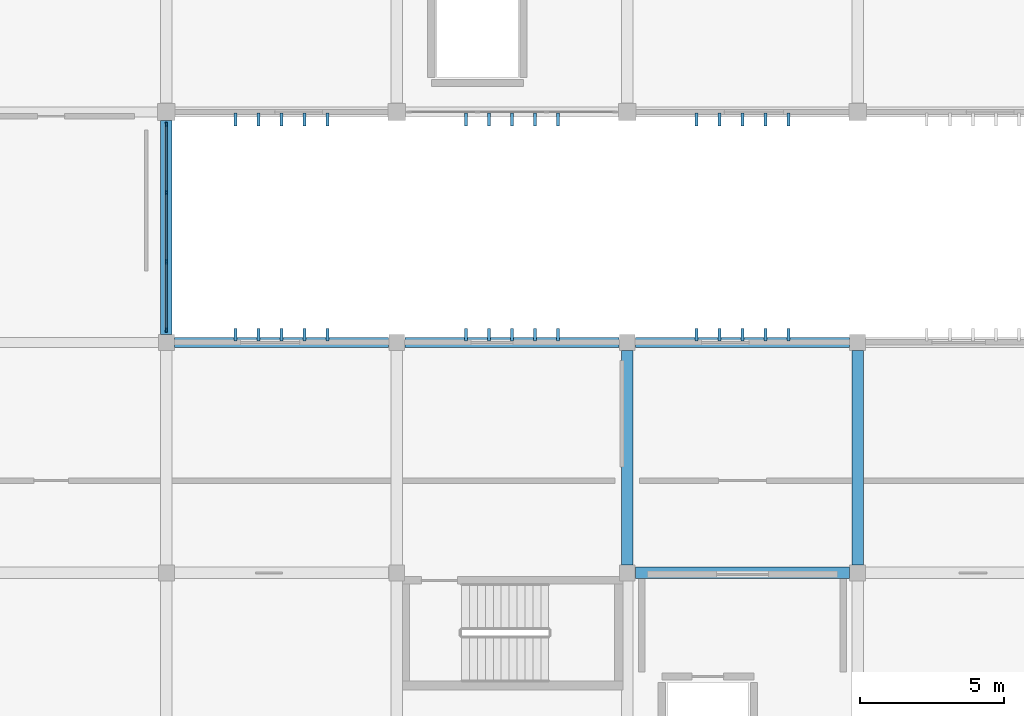
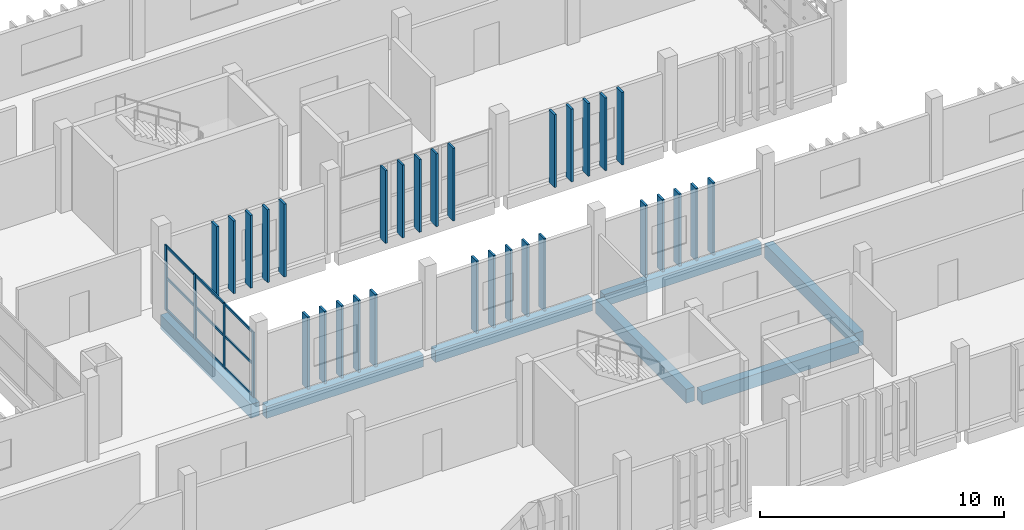
# One storey, part 25 of 83: 43 members, 7 beams, 1 element without a shape of its own.
"""IFC4 building model written with IfcOpenShell, lengths in metres."""

from ifc_helpers import new_model, si_unit, direction, frame, origin, origin_2d, place, context, subcontext, project, spatial, rectangle, extrude, material, layer, layer_set, material_profile, profile_set, type_object, element, aggregate, save


model = new_model("IFC4")

# Units and contexts
model_context = context("Model", 3, precision=1e-05, world=origin(), true_north=direction((0.0, 1.0)))
body_context = subcontext(model_context, "Body", "Model", "MODEL_VIEW")
ifc_project = project(units=[si_unit("LENGTHUNIT", "METRE"), si_unit("AREAUNIT", "SQUARE_METRE"), si_unit("VOLUMEUNIT", "CUBIC_METRE"), si_unit("PLANEANGLEUNIT", "RADIAN"), si_unit("MASSUNIT", "GRAM", prefix="KILO")], contexts=[model_context])

# Site, building, storey
site_placement = place(None, origin())
site = spatial("IfcSite", under=ifc_project, at=site_placement, CompositionType="ELEMENT")
building_placement = place(site_placement, origin())
building = spatial("IfcBuilding", under=site, at=building_placement, Name="Jelvoka-Kovrelna Polytechnic", CompositionType="ELEMENT")
storey_placement = place(building_placement, frame((0.0, 0.0, 13.800048828125)))
storey = spatial("IfcBuildingStorey", under=building, at=storey_placement, Name="L04", CompositionType="ELEMENT", Elevation=13.800048828125)

# Beams
ifc_material_1 = material(Name="Concrete C40/50", Category="concrete")
ifc_material_profile_1 = material_profile(ifc_material_1, rectangle(XDim=0.39990234375, YDim=0.64990234375, at=origin_2d()), Name="RC 400x650")
ifc_profile_set_1 = profile_set([ifc_material_profile_1], Name="Concrete C40/50")
beam_type_1 = type_object("IfcBeamType", Name="Beam_RC_400x650", PredefinedType="BEAM", material=ifc_profile_set_1)
beam_1_placement = place(storey_placement, frame((96.280029296875, 16.0, -0.574951171875), z_axis=(1.0, 0.0, 0.0), x_axis=(0.0, 1.0, 0.0)))
element("IfcBeam", 1, at=beam_1_placement, inside=storey, type_object=beam_type_1, Name="L04 beam 1123", PredefinedType="BEAM", context=body_context, shape_type="SweptSolid", body=[
    extrude(rectangle(XDim=0.39990234375, YDim=0.64990234375, at=origin_2d()), origin(), (0.0, 0.0, 1.0), 7.43994140625),
])
ifc_material_2 = material(Name="Concrete C40/50", Category="concrete")
ifc_material_profile_2 = material_profile(ifc_material_2, rectangle(XDim=0.39990234375, YDim=0.699951171875, at=origin_2d()), Name="RC 400x700")
ifc_profile_set_2 = profile_set([ifc_material_profile_2], Name="Concrete C40/50")
beam_type_2 = type_object("IfcBeamType", Name="Beam_RC_400x700", PredefinedType="BEAM", material=ifc_profile_set_2)
for number, where, z_axis, x_axis, name in (
    (2, (96.0, 16.280029296875, -0.60009765625), (0.0, 1.0, 0.0), (-1.0, 0.0, 0.0), "L04 beam 1143"),
    (3, (104.0, 16.280029296875, -0.60009765625), (0.0, 1.0, 0.0), (-1.0, 0.0, 0.0), "L04 beam 1145"),
):
    element("IfcBeam", number, at=place(storey_placement, frame(where, z_axis=z_axis, x_axis=x_axis)), inside=storey, type_object=beam_type_2, Name=name, PredefinedType="BEAM", context=body_context, shape_type="SweptSolid", body=[
        extrude(rectangle(XDim=0.39990234375, YDim=0.699951171875, at=origin_2d()), origin(), (0.0, 0.0, 1.0), 7.43994140625),
    ])
beam_2_placement = place(storey_placement, frame((80.0, 24.280029296875, -0.60009765625), z_axis=(0.0, 1.0, 0.0), x_axis=(-1.0, 0.0, 0.0)))
element("IfcBeam", 4, at=beam_2_placement, inside=storey, type_object=beam_type_2, Name="L04 beam 1360", PredefinedType="BEAM", context=body_context, shape_type="SweptSolid", body=[
    extrude(rectangle(XDim=0.39990234375, YDim=0.699951171875, at=origin_2d()), origin(), (0.0, 0.0, 1.0), 7.4150390625),
])

# Members
ifc_material_3 = material(Name="Precast concrete C40/50", Category="concrete")
ifc_material_profile_3 = material_profile(ifc_material_3, rectangle(XDim=0.10009765625, YDim=0.449951171875, at=origin_2d()), Name="PC 100x450")
ifc_profile_set_3 = profile_set([ifc_material_profile_3], Name="Precast concrete C40/50")
member_type_1 = type_object("IfcMemberType", Name="Louvre_Fin_100x450", PredefinedType="USERDEFINED", material=ifc_profile_set_3)
for number, where, z_axis, x_axis, name in (
    (5, (82.39990234375, 24.264892578125, -0.27001953125), (0.0, 0.0, 1.0), (1.0, 0.0, 0.0), "L04 B1 north vertical solar louvre fin 0366"),
    (6, (83.199951171875, 24.264892578125, -0.27001953125), (0.0, 0.0, 1.0), (1.0, 0.0, 0.0), "L04 B1 north vertical solar louvre fin 0367"),
    (7, (84.0, 24.264892578125, -0.27001953125), (0.0, 0.0, 1.0), (1.0, 0.0, 0.0), "L04 B1 north vertical solar louvre fin 0368"),
    (8, (84.800048828125, 24.264892578125, -0.27001953125), (0.0, 0.0, 1.0), (1.0, 0.0, 0.0), "L04 B1 north vertical solar louvre fin 0369"),
    (9, (85.60009765625, 24.264892578125, -0.27001953125), (0.0, 0.0, 1.0), (1.0, 0.0, 0.0), "L04 B1 north vertical solar louvre fin 0370"),
    (10, (90.39990234375, 24.264892578125, -0.27001953125), (0.0, 0.0, 1.0), (1.0, 0.0, 0.0), "L04 B1 north vertical solar louvre fin 0376"),
    (11, (91.199951171875, 24.264892578125, -0.27001953125), (0.0, 0.0, 1.0), (1.0, 0.0, 0.0), "L04 B1 north vertical solar louvre fin 0377"),
    (12, (92.0, 24.264892578125, -0.27001953125), (0.0, 0.0, 1.0), (1.0, 0.0, 0.0), "L04 B1 north vertical solar louvre fin 0378"),
    (13, (92.800048828125, 24.264892578125, -0.27001953125), (0.0, 0.0, 1.0), (1.0, 0.0, 0.0), "L04 B1 north vertical solar louvre fin 0379"),
    (14, (93.60009765625, 24.264892578125, -0.27001953125), (0.0, 0.0, 1.0), (1.0, 0.0, 0.0), "L04 B1 north vertical solar louvre fin 0380"),
    (15, (98.39990234375, 24.264892578125, -0.27001953125), (0.0, 0.0, 1.0), (1.0, 0.0, 0.0), "L04 B1 north vertical solar louvre fin 0386"),
    (16, (99.199951171875, 24.264892578125, -0.27001953125), (0.0, 0.0, 1.0), (1.0, 0.0, 0.0), "L04 B1 north vertical solar louvre fin 0387"),
    (17, (100.0, 24.264892578125, -0.27001953125), (0.0, 0.0, 1.0), (1.0, 0.0, 0.0), "L04 B1 north vertical solar louvre fin 0388"),
    (18, (100.800048828125, 24.264892578125, -0.27001953125), (0.0, 0.0, 1.0), (1.0, 0.0, 0.0), "L04 B1 north vertical solar louvre fin 0389"),
    (19, (101.60009765625, 24.264892578125, -0.27001953125), (0.0, 0.0, 1.0), (1.0, 0.0, 0.0), "L04 B1 north vertical solar louvre fin 0390"),
    (20, (82.39990234375, 31.735107421875, -0.27001953125), (0.0, 0.0, 1.0), (1.0, 0.0, 0.0), "L04 B2W south vertical solar louvre fin 0716"),
    (21, (83.199951171875, 31.735107421875, -0.27001953125), (0.0, 0.0, 1.0), (1.0, 0.0, 0.0), "L04 B2W south vertical solar louvre fin 0717"),
    (22, (84.0, 31.735107421875, -0.27001953125), (0.0, 0.0, 1.0), (1.0, 0.0, 0.0), "L04 B2W south vertical solar louvre fin 0718"),
    (23, (84.800048828125, 31.735107421875, -0.27001953125), (0.0, 0.0, 1.0), (1.0, 0.0, 0.0), "L04 B2W south vertical solar louvre fin 0719"),
    (24, (85.60009765625, 31.735107421875, -0.27001953125), (0.0, 0.0, 1.0), (1.0, 0.0, 0.0), "L04 B2W south vertical solar louvre fin 0720"),
    (25, (90.39990234375, 31.735107421875, -0.27001953125), (0.0, 0.0, 1.0), (1.0, 0.0, 0.0), "L04 B2W south vertical solar louvre fin 0726"),
    (26, (91.199951171875, 31.735107421875, -0.27001953125), (0.0, 0.0, 1.0), (1.0, 0.0, 0.0), "L04 B2W south vertical solar louvre fin 0727"),
    (27, (92.0, 31.735107421875, -0.27001953125), (0.0, 0.0, 1.0), (1.0, 0.0, 0.0), "L04 B2W south vertical solar louvre fin 0728"),
    (28, (92.800048828125, 31.735107421875, -0.27001953125), (0.0, 0.0, 1.0), (1.0, 0.0, 0.0), "L04 B2W south vertical solar louvre fin 0729"),
    (29, (93.60009765625, 31.735107421875, -0.27001953125), (0.0, 0.0, 1.0), (1.0, 0.0, 0.0), "L04 B2W south vertical solar louvre fin 0730"),
    (30, (98.39990234375, 31.735107421875, -0.27001953125), (0.0, 0.0, 1.0), (1.0, 0.0, 0.0), "L04 B2W south vertical solar louvre fin 0736"),
    (31, (99.199951171875, 31.735107421875, -0.27001953125), (0.0, 0.0, 1.0), (1.0, 0.0, 0.0), "L04 B2W south vertical solar louvre fin 0737"),
    (32, (100.0, 31.735107421875, -0.27001953125), (0.0, 0.0, 1.0), (1.0, 0.0, 0.0), "L04 B2W south vertical solar louvre fin 0738"),
    (33, (100.800048828125, 31.735107421875, -0.27001953125), (0.0, 0.0, 1.0), (1.0, 0.0, 0.0), "L04 B2W south vertical solar louvre fin 0739"),
    (34, (101.60009765625, 31.735107421875, -0.27001953125), (0.0, 0.0, 1.0), (1.0, 0.0, 0.0), "L04 B2W south vertical solar louvre fin 0740"),
):
    element("IfcMember", number, at=place(storey_placement, frame(where, z_axis=z_axis, x_axis=x_axis)), inside=storey, type_object=member_type_1, Name=name, ObjectType="SUNSHADE", PredefinedType="USERDEFINED", context=body_context, shape_type="SweptSolid", body=[
        extrude(rectangle(XDim=0.10009765625, YDim=0.449951171875, at=origin_2d()), origin(), (0.0, 0.0, 1.0), 3.64501953125),
    ])

# Curtain wall, members
ifc_material_4 = material(Name="Anodised aluminium 6063-T6", Category="aluminium")
ifc_layer = layer(ifc_material_4, 0.159912109375)
ifc_layer_set = layer_set([ifc_layer], Name="Anodised aluminium 6063-T6")
curtain_wall_type = type_object("IfcCurtainWallType", Name="CW_LinkBridge", PredefinedType="NOTDEFINED", material=ifc_layer_set)
curtain_wall_placement = place(storey_placement, origin())
curtain_wall = element("IfcCurtainWall", 35, at=curtain_wall_placement, inside=storey, type_object=curtain_wall_type, Name="L04 glazed curtain wall 137", PredefinedType="NOTDEFINED")
ifc_material_5 = material(Name="Anodised aluminium 6063-T6", Category="aluminium")
ifc_material_profile_4 = material_profile(ifc_material_5, rectangle(XDim=0.06005859375, YDim=0.159912109375, at=origin_2d()), Name="ALU 60x160")
ifc_profile_set_4 = profile_set([ifc_material_profile_4], Name="Anodised aluminium 6063-T6")
member_type_2 = type_object("IfcMemberType", Name="Mullion_M-04", PredefinedType="MULLION", material=ifc_profile_set_4)
member_1_placement = place(storey_placement, frame((80.0, 31.570068359375, -0.02490234375), z_axis=(0.0, 0.0, 1.0), x_axis=(1.0, 0.0, 0.0)))
member_1 = element("IfcMember", 36, at=member_1_placement, type_object=member_type_2, Name="CW-04 mullion 1", PredefinedType="MULLION", context=body_context, shape_type="SweptSolid", body=[
    extrude(rectangle(XDim=0.06005859375, YDim=0.159912109375, at=origin_2d()), origin(), (0.0, 0.0, 1.0), 3.27490234375),
])
member_2_placement = place(storey_placement, frame((80.0, 29.199951171875, -0.02490234375), z_axis=(0.0, 0.0, 1.0), x_axis=(1.0, 0.0, 0.0)))
member_2 = element("IfcMember", 37, at=member_2_placement, type_object=member_type_2, Name="CW-04 mullion 2", PredefinedType="MULLION", context=body_context, shape_type="SweptSolid", body=[
    extrude(rectangle(XDim=0.06005859375, YDim=0.159912109375, at=origin_2d()), origin(), (0.0, 0.0, 1.0), 3.27490234375),
])
member_3_placement = place(storey_placement, frame((80.0, 26.800048828125, -0.02490234375), z_axis=(0.0, 0.0, 1.0), x_axis=(1.0, 0.0, 0.0)))
member_3 = element("IfcMember", 38, at=member_3_placement, type_object=member_type_2, Name="CW-04 mullion 3", PredefinedType="MULLION", context=body_context, shape_type="SweptSolid", body=[
    extrude(rectangle(XDim=0.06005859375, YDim=0.159912109375, at=origin_2d()), origin(), (0.0, 0.0, 1.0), 3.27490234375),
])
member_4_placement = place(storey_placement, frame((80.0, 24.429931640625, -0.02490234375), z_axis=(0.0, 0.0, 1.0), x_axis=(1.0, 0.0, 0.0)))
member_4 = element("IfcMember", 39, at=member_4_placement, type_object=member_type_2, Name="CW-04 mullion 4", PredefinedType="MULLION", context=body_context, shape_type="SweptSolid", body=[
    extrude(rectangle(XDim=0.06005859375, YDim=0.159912109375, at=origin_2d()), origin(), (0.0, 0.0, 1.0), 3.27490234375),
])

# Beams
ifc_material_6 = material(Name="Concrete C40/50", Category="concrete")
ifc_material_profile_5 = material_profile(ifc_material_6, rectangle(XDim=0.35009765625, YDim=0.60009765625, at=origin_2d()), Name="RC 350x600")
ifc_profile_set_5 = profile_set([ifc_material_profile_5], Name="Concrete C40/50")
beam_type_3 = type_object("IfcBeamType", Name="Spandrel_RC_350x600", PredefinedType="SPANDREL", material=ifc_profile_set_5)
for number, where, z_axis, x_axis, name in (
    (40, (80.280029296875, 24.0, -0.550048828125), (1.0, 0.0, 0.0), (0.0, 1.0, 0.0), "L04 beam 1128"),
    (41, (88.280029296875, 24.0, -0.550048828125), (1.0, 0.0, 0.0), (0.0, 1.0, 0.0), "L04 beam 1129"),
    (42, (96.280029296875, 24.0, -0.550048828125), (1.0, 0.0, 0.0), (0.0, 1.0, 0.0), "L04 beam 1130"),
):
    element("IfcBeam", number, at=place(storey_placement, frame(where, z_axis=z_axis, x_axis=x_axis)), inside=storey, type_object=beam_type_3, Name=name, PredefinedType="SPANDREL", context=body_context, shape_type="SweptSolid", body=[
        extrude(rectangle(XDim=0.35009765625, YDim=0.60009765625, at=origin_2d()), origin(), (0.0, 0.0, 1.0), 7.43994140625),
    ])

# Member
ifc_material_7 = material(Name="Anodised aluminium 6063-T6", Category="aluminium")
ifc_material_profile_6 = material_profile(ifc_material_7, rectangle(XDim=0.06005859375, YDim=0.1201171875, at=origin_2d()), Name="ALU 60x120")
ifc_profile_set_6 = profile_set([ifc_material_profile_6], Name="Anodised aluminium 6063-T6")
member_type_3 = type_object("IfcMemberType", Name="Transom_T-04", PredefinedType="USERDEFINED", material=ifc_profile_set_6)
member_5_placement = place(storey_placement, frame((80.0, 31.5400390625, 0.030029296875), z_axis=(0.0, -1.0, 0.0), x_axis=(1.0, 0.0, 0.0)))
member_5 = element("IfcMember", 43, at=member_5_placement, type_object=member_type_3, Name="CW-04 transom 1.1", ObjectType="TRANSOM", PredefinedType="USERDEFINED", context=body_context, shape_type="SweptSolid", body=[
    extrude(rectangle(XDim=0.06005859375, YDim=0.1201171875, at=origin_2d()), origin(), (0.0, 0.0, 1.0), 2.31005859375),
])

member_6_placement = place(storey_placement, frame((80.0, 31.5400390625, 1.612548828125), z_axis=(0.0, -1.0, 0.0), x_axis=(1.0, 0.0, 0.0)))
member_6 = element("IfcMember", 44, at=member_6_placement, type_object=member_type_3, Name="CW-04 transom 1.2", ObjectType="TRANSOM", PredefinedType="USERDEFINED", context=body_context, shape_type="SweptSolid", body=[
    extrude(rectangle(XDim=0.06005859375, YDim=0.1201171875, at=origin_2d()), origin(), (0.0, 0.0, 1.0), 2.31005859375),
])

member_7_placement = place(storey_placement, frame((80.0, 31.5400390625, 3.195068359375), z_axis=(0.0, -1.0, 0.0), x_axis=(1.0, 0.0, 0.0)))
member_7 = element("IfcMember", 45, at=member_7_placement, type_object=member_type_3, Name="CW-04 transom 1.3", ObjectType="TRANSOM", PredefinedType="USERDEFINED", context=body_context, shape_type="SweptSolid", body=[
    extrude(rectangle(XDim=0.06005859375, YDim=0.1201171875, at=origin_2d()), origin(), (0.0, 0.0, 1.0), 2.31005859375),
])

member_8_placement = place(storey_placement, frame((80.0, 29.169921875, 0.030029296875), z_axis=(0.0, -1.0, 0.0), x_axis=(1.0, 0.0, 0.0)))
member_8 = element("IfcMember", 46, at=member_8_placement, type_object=member_type_3, Name="CW-04 transom 2.1", ObjectType="TRANSOM", PredefinedType="USERDEFINED", context=body_context, shape_type="SweptSolid", body=[
    extrude(rectangle(XDim=0.06005859375, YDim=0.1201171875, at=origin_2d()), origin(), (0.0, 0.0, 1.0), 2.33984375),
])

member_9_placement = place(storey_placement, frame((80.0, 29.169921875, 1.612548828125), z_axis=(0.0, -1.0, 0.0), x_axis=(1.0, 0.0, 0.0)))
member_9 = element("IfcMember", 47, at=member_9_placement, type_object=member_type_3, Name="CW-04 transom 2.2", ObjectType="TRANSOM", PredefinedType="USERDEFINED", context=body_context, shape_type="SweptSolid", body=[
    extrude(rectangle(XDim=0.06005859375, YDim=0.1201171875, at=origin_2d()), origin(), (0.0, 0.0, 1.0), 2.33984375),
])

member_10_placement = place(storey_placement, frame((80.0, 29.169921875, 3.195068359375), z_axis=(0.0, -1.0, 0.0), x_axis=(1.0, 0.0, 0.0)))
member_10 = element("IfcMember", 48, at=member_10_placement, type_object=member_type_3, Name="CW-04 transom 2.3", ObjectType="TRANSOM", PredefinedType="USERDEFINED", context=body_context, shape_type="SweptSolid", body=[
    extrude(rectangle(XDim=0.06005859375, YDim=0.1201171875, at=origin_2d()), origin(), (0.0, 0.0, 1.0), 2.33984375),
])

member_11_placement = place(storey_placement, frame((80.0, 26.77001953125, 0.030029296875), z_axis=(0.0, -1.0, 0.0), x_axis=(1.0, 0.0, 0.0)))
member_11 = element("IfcMember", 49, at=member_11_placement, type_object=member_type_3, Name="CW-04 transom 3.1", ObjectType="TRANSOM", PredefinedType="USERDEFINED", context=body_context, shape_type="SweptSolid", body=[
    extrude(rectangle(XDim=0.06005859375, YDim=0.1201171875, at=origin_2d()), origin(), (0.0, 0.0, 1.0), 2.31005859375),
])

member_12_placement = place(storey_placement, frame((80.0, 26.77001953125, 1.612548828125), z_axis=(0.0, -1.0, 0.0), x_axis=(1.0, 0.0, 0.0)))
member_12 = element("IfcMember", 50, at=member_12_placement, type_object=member_type_3, Name="CW-04 transom 3.2", ObjectType="TRANSOM", PredefinedType="USERDEFINED", context=body_context, shape_type="SweptSolid", body=[
    extrude(rectangle(XDim=0.06005859375, YDim=0.1201171875, at=origin_2d()), origin(), (0.0, 0.0, 1.0), 2.31005859375),
])

member_13_placement = place(storey_placement, frame((80.0, 26.77001953125, 3.195068359375), z_axis=(0.0, -1.0, 0.0), x_axis=(1.0, 0.0, 0.0)))
member_13 = element("IfcMember", 51, at=member_13_placement, type_object=member_type_3, Name="CW-04 transom 3.3", ObjectType="TRANSOM", PredefinedType="USERDEFINED", context=body_context, shape_type="SweptSolid", body=[
    extrude(rectangle(XDim=0.06005859375, YDim=0.1201171875, at=origin_2d()), origin(), (0.0, 0.0, 1.0), 2.31005859375),
])

aggregate(curtain_wall, [member_1, member_2, member_3, member_4, member_5, member_6, member_7, member_8, member_9, member_10, member_11, member_12, member_13])

save(model, "model.ifc")
